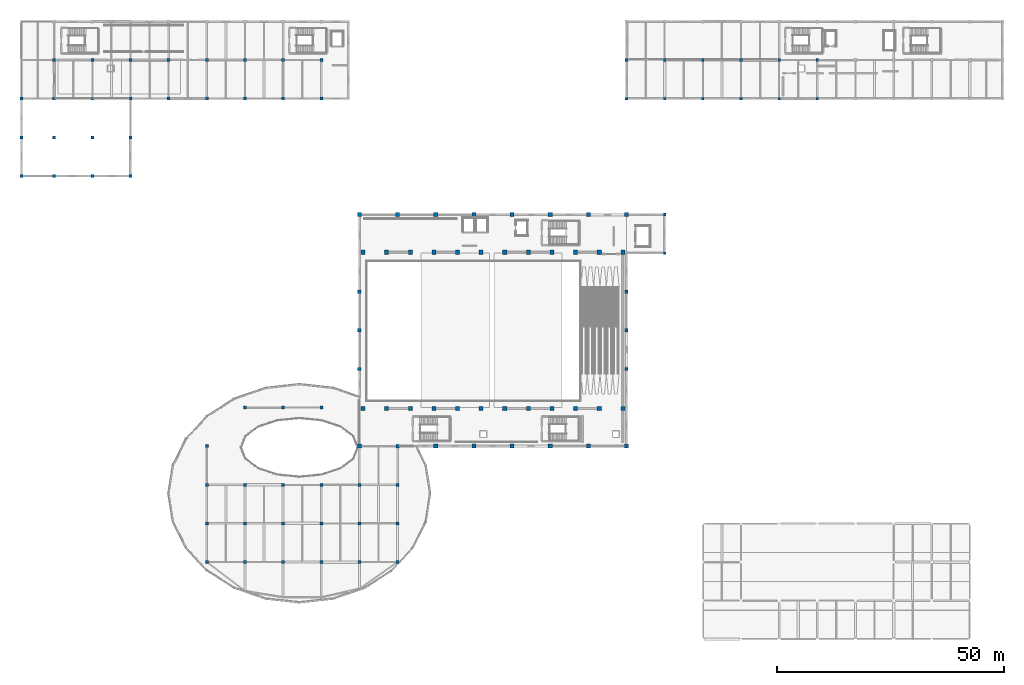
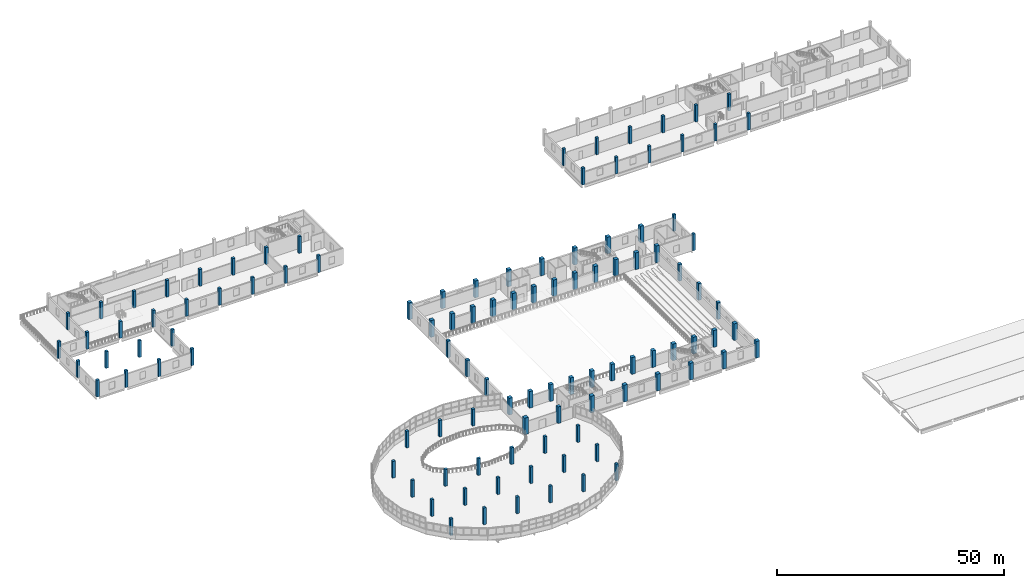
# One storey, part 1 of 50: 107 columns.
"""IFC4 building model written with IfcOpenShell, lengths in metres."""

from ifc_helpers import new_model, si_unit, direction, frame, origin, origin_2d, place, context, subcontext, project, spatial, rectangle, extrude, material, material_profile, profile_set, type_object, element, save


model = new_model("IFC4")

# Units and contexts
model_context = context("Model", 3, precision=1e-05, world=origin(), true_north=direction((0.0, 1.0)))
body_context = subcontext(model_context, "Body", "Model", "MODEL_VIEW")
ifc_project = project(units=[si_unit("LENGTHUNIT", "METRE"), si_unit("AREAUNIT", "SQUARE_METRE"), si_unit("VOLUMEUNIT", "CUBIC_METRE"), si_unit("PLANEANGLEUNIT", "RADIAN"), si_unit("MASSUNIT", "GRAM", prefix="KILO")], contexts=[model_context])

# Site, building, storey
site_placement = place(None, origin())
site = spatial("IfcSite", under=ifc_project, at=site_placement, CompositionType="ELEMENT")
building_placement = place(site_placement, origin())
building = spatial("IfcBuilding", under=site, at=building_placement, Name="Solvento Point Concert Hall", CompositionType="ELEMENT")
storey_placement = place(building_placement, frame((0.0, 0.0, 15.0)))
storey = spatial("IfcBuildingStorey", under=building, at=storey_placement, Name="L03", CompositionType="ELEMENT", Elevation=15.0)

# Columns
ifc_material_1 = material(Name="Concrete C40/50", Category="concrete")
ifc_material_profile_1 = material_profile(ifc_material_1, rectangle(XDim=0.60009765625, YDim=0.60009765625, at=origin_2d()), Name="RC-COL-600X600")
ifc_profile_set_1 = profile_set([ifc_material_profile_1], Name="Concrete C40/50")
column_type_1 = type_object("IfcColumnType", Name="Col_RC_600", PredefinedType="COLUMN", material=ifc_profile_set_1)
for number, where, z_axis, x_axis, name in (
    (1, (133.199951171875, 119.0, 0.0), (0.0, 0.0, 1.0), (1.0, 0.0, 0.0), "Column C-88 17/Q L03"),
    (2, (133.199951171875, 127.5, 0.0), (0.0, 0.0, 1.0), (1.0, 0.0, 0.0), "Column C-88 17/R L03"),
    (3, (141.60009765625, 85.0, 0.0), (0.0, 0.0, 1.0), (1.0, 0.0, 0.0), "Column C-88 18/L L03"),
    (4, (141.60009765625, 93.5, 0.0), (0.0, 0.0, 1.0), (1.0, 0.0, 0.0), "Column C-88 18/M L03"),
    (5, (141.60009765625, 119.0, 0.0), (0.0, 0.0, 1.0), (1.0, 0.0, 0.0), "Column C-88 18/Q L03"),
    (6, (141.60009765625, 127.5, 0.0), (0.0, 0.0, 1.0), (1.0, 0.0, 0.0), "Column C-88 18/R L03"),
    (7, (150.0, 119.0, 0.0), (0.0, 0.0, 1.0), (1.0, 0.0, 0.0), "Column C-88 19/Q L03"),
    (8, (150.0, 127.5, 0.0), (0.0, 0.0, 1.0), (1.0, 0.0, 0.0), "Column C-88 19/R L03"),
    (9, (158.39990234375, 119.0, 0.0), (0.0, 0.0, 1.0), (1.0, 0.0, 0.0), "Column C-88 20/Q L03"),
    (10, (158.39990234375, 127.5, 0.0), (0.0, 0.0, 1.0), (1.0, 0.0, 0.0), "Column C-88 20/R L03"),
    (11, (166.800048828125, 119.0, 0.0), (0.0, 0.0, 1.0), (1.0, 0.0, 0.0), "Column C-88 21/Q L03"),
    (12, (166.800048828125, 127.5, 0.0), (0.0, 0.0, 1.0), (1.0, 0.0, 0.0), "Column C-88 21/R L03"),
    (13, (175.199951171875, 119.0, 0.0), (0.0, 0.0, 1.0), (1.0, 0.0, 0.0), "Column C-88 22/Q L03"),
    (14, (175.199951171875, 127.5, 0.0), (0.0, 0.0, 1.0), (1.0, 0.0, 0.0), "Column C-88 22/R L03"),
):
    element("IfcColumn", number, at=place(storey_placement, frame(where, z_axis=z_axis, x_axis=x_axis)), inside=storey, type_object=column_type_1, Name=name, PredefinedType="COLUMN", context=body_context, shape_type="SweptSolid", body=[
        extrude(rectangle(XDim=0.60009765625, YDim=0.60009765625, at=origin_2d()), origin(), (0.0, 0.0, 1.0), 4.5),
    ])
ifc_material_2 = material(Name="Concrete C40/50", Category="concrete")
ifc_material_profile_2 = material_profile(ifc_material_2, rectangle(XDim=0.64990234375, YDim=0.64990234375, at=origin_2d()), Name="RC-COL-650X650")
ifc_profile_set_2 = profile_set([ifc_material_profile_2], Name="Concrete C40/50")
column_type_2 = type_object("IfcColumnType", Name="Col_RC_650", PredefinedType="COLUMN", material=ifc_profile_set_2)
for number, where, z_axis, x_axis, name in (
    (15, (0.0, 102.0, 0.0), (0.0, 0.0, 1.0), (1.0, 0.0, 0.0), "Column C-50 01/N L03"),
    (16, (0.0, 110.5, 0.0), (0.0, 0.0, 1.0), (1.0, 0.0, 0.0), "Column C-50 01/P L03"),
    (17, (0.0, 119.0, 0.0), (0.0, 0.0, 1.0), (1.0, 0.0, 0.0), "Column C-50 01/Q L03"),
    (18, (7.199951171875, 102.0, 0.0), (0.0, 0.0, 1.0), (1.0, 0.0, 0.0), "Column C-50 02/N L03"),
    (19, (7.199951171875, 110.5, 0.0), (0.0, 0.0, 1.0), (1.0, 0.0, 0.0), "Column C-50 02/P L03"),
    (20, (7.199951171875, 119.0, 0.0), (0.0, 0.0, 1.0), (1.0, 0.0, 0.0), "Column C-50 02/Q L03"),
    (21, (7.199951171875, 127.5, 0.0), (0.0, 0.0, 1.0), (1.0, 0.0, 0.0), "Column C-50 02/R L03"),
    (22, (15.60009765625, 102.0, 0.0), (0.0, 0.0, 1.0), (1.0, 0.0, 0.0), "Column C-50 03/N L03"),
    (23, (15.60009765625, 110.5, 0.0), (0.0, 0.0, 1.0), (1.0, 0.0, 0.0), "Column C-50 03/P L03"),
    (24, (15.60009765625, 119.0, 0.0), (0.0, 0.0, 1.0), (1.0, 0.0, 0.0), "Column C-50 03/Q L03"),
    (25, (15.60009765625, 127.5, 0.0), (0.0, 0.0, 1.0), (1.0, 0.0, 0.0), "Column C-50 03/R L03"),
    (26, (24.0, 102.0, 0.0), (0.0, 0.0, 1.0), (1.0, 0.0, 0.0), "Column C-50 04/N L03"),
    (27, (24.0, 110.5, 0.0), (0.0, 0.0, 1.0), (1.0, 0.0, 0.0), "Column C-50 04/P L03"),
    (28, (24.0, 119.0, 0.0), (0.0, 0.0, 1.0), (1.0, 0.0, 0.0), "Column C-50 04/Q L03"),
    (29, (24.0, 127.5, 0.0), (0.0, 0.0, 1.0), (1.0, 0.0, 0.0), "Column C-50 04/R L03"),
    (30, (32.39990234375, 119.0, 0.0), (0.0, 0.0, 1.0), (1.0, 0.0, 0.0), "Column C-50 05/Q L03"),
    (31, (32.39990234375, 127.5, 0.0), (0.0, 0.0, 1.0), (1.0, 0.0, 0.0), "Column C-50 05/R L03"),
    (32, (40.800048828125, 17.0, 0.0), (0.0, 0.0, 1.0), (1.0, 0.0, 0.0), "Column C-50 06/C L03"),
    (33, (40.800048828125, 25.5, 0.0), (0.0, 0.0, 1.0), (1.0, 0.0, 0.0), "Column C-50 06/D L03"),
    (34, (40.800048828125, 34.0, 0.0), (0.0, 0.0, 1.0), (1.0, 0.0, 0.0), "Column C-50 06/E L03"),
    (35, (40.800048828125, 42.5, 0.0), (0.0, 0.0, 1.0), (1.0, 0.0, 0.0), "Column C-50 06/F L03"),
    (36, (40.800048828125, 119.0, 0.0), (0.0, 0.0, 1.0), (1.0, 0.0, 0.0), "Column C-50 06/Q L03"),
    (37, (40.800048828125, 127.5, 0.0), (0.0, 0.0, 1.0), (1.0, 0.0, 0.0), "Column C-50 06/R L03"),
    (38, (49.199951171875, 17.0, 0.0), (0.0, 0.0, 1.0), (1.0, 0.0, 0.0), "Column C-50 07/C L03"),
    (39, (49.199951171875, 25.5, 0.0), (0.0, 0.0, 1.0), (1.0, 0.0, 0.0), "Column C-50 07/D L03"),
    (40, (49.199951171875, 34.0, 0.0), (0.0, 0.0, 1.0), (1.0, 0.0, 0.0), "Column C-50 07/E L03"),
    (41, (49.199951171875, 51.0, 0.0), (0.0, 0.0, 1.0), (1.0, 0.0, 0.0), "Column C-50 07/G L03"),
    (42, (49.199951171875, 119.0, 0.0), (0.0, 0.0, 1.0), (1.0, 0.0, 0.0), "Column C-50 07/Q L03"),
    (43, (49.199951171875, 127.5, 0.0), (0.0, 0.0, 1.0), (1.0, 0.0, 0.0), "Column C-50 07/R L03"),
    (44, (57.60009765625, 17.0, 0.0), (0.0, 0.0, 1.0), (1.0, 0.0, 0.0), "Column C-50 08/C L03"),
    (45, (57.60009765625, 25.5, 0.0), (0.0, 0.0, 1.0), (1.0, 0.0, 0.0), "Column C-50 08/D L03"),
    (46, (57.60009765625, 34.0, 0.0), (0.0, 0.0, 1.0), (1.0, 0.0, 0.0), "Column C-50 08/E L03"),
    (47, (57.60009765625, 51.0, 0.0), (0.0, 0.0, 1.0), (1.0, 0.0, 0.0), "Column C-50 08/G L03"),
    (48, (57.60009765625, 119.0, 0.0), (0.0, 0.0, 1.0), (1.0, 0.0, 0.0), "Column C-50 08/Q L03"),
    (49, (57.60009765625, 127.5, 0.0), (0.0, 0.0, 1.0), (1.0, 0.0, 0.0), "Column C-50 08/R L03"),
    (50, (66.0, 17.0, 0.0), (0.0, 0.0, 1.0), (1.0, 0.0, 0.0), "Column C-50 09/C L03"),
    (51, (66.0, 25.5, 0.0), (0.0, 0.0, 1.0), (1.0, 0.0, 0.0), "Column C-50 09/D L03"),
    (52, (66.0, 34.0, 0.0), (0.0, 0.0, 1.0), (1.0, 0.0, 0.0), "Column C-50 09/E L03"),
    (53, (66.0, 51.0, 0.0), (0.0, 0.0, 1.0), (1.0, 0.0, 0.0), "Column C-50 09/G L03"),
    (54, (66.0, 119.0, 0.0), (0.0, 0.0, 1.0), (1.0, 0.0, 0.0), "Column C-50 09/Q L03"),
    (55, (66.0, 127.5, 0.0), (0.0, 0.0, 1.0), (1.0, 0.0, 0.0), "Column C-50 09/R L03"),
    (56, (74.39990234375, 17.0, 0.0), (0.0, 0.0, 1.0), (1.0, 0.0, 0.0), "Column C-50 10/C L03"),
    (57, (74.39990234375, 25.5, 0.0), (0.0, 0.0, 1.0), (1.0, 0.0, 0.0), "Column C-50 10/D L03"),
    (58, (74.39990234375, 34.0, 0.0), (0.0, 0.0, 1.0), (1.0, 0.0, 0.0), "Column C-50 10/E L03"),
    (59, (82.800048828125, 17.0, 0.0), (0.0, 0.0, 1.0), (1.0, 0.0, 0.0), "Column C-50 11/C L03"),
    (60, (82.800048828125, 25.5, 0.0), (0.0, 0.0, 1.0), (1.0, 0.0, 0.0), "Column C-50 11/D L03"),
    (61, (82.800048828125, 34.0, 0.0), (0.0, 0.0, 1.0), (1.0, 0.0, 0.0), "Column C-50 11/E L03"),
):
    element("IfcColumn", number, at=place(storey_placement, frame(where, z_axis=z_axis, x_axis=x_axis)), inside=storey, type_object=column_type_2, Name=name, PredefinedType="COLUMN", context=body_context, shape_type="SweptSolid", body=[
        extrude(rectangle(XDim=0.64990234375, YDim=0.64990234375, at=origin_2d()), origin(), (0.0, 0.0, 1.0), 4.5),
    ])
ifc_material_3 = material(Name="Concrete C40/50", Category="concrete")
ifc_material_profile_3 = material_profile(ifc_material_3, rectangle(XDim=0.75, YDim=0.75, at=origin_2d()), Name="RC-COL-750X750")
ifc_profile_set_3 = profile_set([ifc_material_profile_3], Name="Concrete C40/50")
column_type_3 = type_object("IfcColumnType", Name="Col_RC_750", PredefinedType="COLUMN", material=ifc_profile_set_3)
for number, where, z_axis, x_axis, name in (
    (62, (74.39990234375, 59.5, 0.0), (0.0, 0.0, 1.0), (1.0, 0.0, 0.0), "Column C-29 10/H L03"),
    (63, (74.39990234375, 68.0, 0.0), (0.0, 0.0, 1.0), (1.0, 0.0, 0.0), "Column C-29 10/J L03"),
    (64, (74.39990234375, 76.5, 0.0), (0.0, 0.0, 1.0), (1.0, 0.0, 0.0), "Column C-29 10/K L03"),
    (65, (82.800048828125, 42.5, 0.0), (0.0, 0.0, 1.0), (1.0, 0.0, 0.0), "Column C-29 11/F L03"),
    (66, (133.199951171875, 59.5, 0.0), (0.0, 0.0, 1.0), (1.0, 0.0, 0.0), "Column C-29 17/H L03"),
    (67, (133.199951171875, 68.0, 0.0), (0.0, 0.0, 1.0), (1.0, 0.0, 0.0), "Column C-29 17/J L03"),
    (68, (133.199951171875, 76.5, 0.0), (0.0, 0.0, 1.0), (1.0, 0.0, 0.0), "Column C-29 17/K L03"),
):
    element("IfcColumn", number, at=place(storey_placement, frame(where, z_axis=z_axis, x_axis=x_axis)), inside=storey, type_object=column_type_3, Name=name, PredefinedType="COLUMN", context=body_context, shape_type="SweptSolid", body=[
        extrude(rectangle(XDim=0.75, YDim=0.75, at=origin_2d()), origin(), (0.0, 0.0, 1.0), 4.5),
    ])
ifc_material_4 = material(Name="Concrete C40/50", Category="concrete")
ifc_material_profile_4 = material_profile(ifc_material_4, rectangle(XDim=0.89990234375, YDim=0.89990234375, at=origin_2d()), Name="RC-COL-900X900")
ifc_profile_set_4 = profile_set([ifc_material_profile_4], Name="Concrete C40/50")
column_type_4 = type_object("IfcColumnType", Name="Col_RC_900", PredefinedType="COLUMN", material=ifc_profile_set_4)
for number, where, z_axis, x_axis, name in (
    (69, (74.39990234375, 42.5, 0.0), (0.0, 0.0, 1.0), (1.0, 0.0, 0.0), "Column C-14 10/F L03"),
    (70, (74.39990234375, 93.5, 0.0), (0.0, 0.0, 1.0), (1.0, 0.0, 0.0), "Column C-14 10/M L03"),
    (71, (82.800048828125, 93.5, 0.0), (0.0, 0.0, 1.0), (1.0, 0.0, 0.0), "Column C-14 11/M L03"),
    (72, (91.199951171875, 42.5, 0.0), (0.0, 0.0, 1.0), (1.0, 0.0, 0.0), "Column C-14 12/F L03"),
    (73, (91.199951171875, 93.5, 0.0), (0.0, 0.0, 1.0), (1.0, 0.0, 0.0), "Column C-14 12/M L03"),
    (74, (99.60009765625, 42.5, 0.0), (0.0, 0.0, 1.0), (1.0, 0.0, 0.0), "Column C-14 13/F L03"),
    (75, (99.60009765625, 93.5, 0.0), (0.0, 0.0, 1.0), (1.0, 0.0, 0.0), "Column C-14 13/M L03"),
    (76, (108.0, 42.5, 0.0), (0.0, 0.0, 1.0), (1.0, 0.0, 0.0), "Column C-14 14/F L03"),
    (77, (108.0, 93.5, 0.0), (0.0, 0.0, 1.0), (1.0, 0.0, 0.0), "Column C-14 14/M L03"),
    (78, (116.39990234375, 42.5, 0.0), (0.0, 0.0, 1.0), (1.0, 0.0, 0.0), "Column C-14 15/F L03"),
    (79, (116.39990234375, 93.5, 0.0), (0.0, 0.0, 1.0), (1.0, 0.0, 0.0), "Column C-14 15/M L03"),
    (80, (124.800048828125, 42.5, 0.0), (0.0, 0.0, 1.0), (1.0, 0.0, 0.0), "Column C-14 16/F L03"),
    (81, (124.800048828125, 93.5, 0.0), (0.0, 0.0, 1.0), (1.0, 0.0, 0.0), "Column C-14 16/M L03"),
    (82, (133.199951171875, 42.5, 0.0), (0.0, 0.0, 1.0), (1.0, 0.0, 0.0), "Column C-14 17/F L03"),
    (83, (133.199951171875, 93.5, 0.0), (0.0, 0.0, 1.0), (1.0, 0.0, 0.0), "Column C-14 17/M L03"),
    (84, (75.199951171875, 50.800048828125, 0.0), (0.0, 0.0, 1.0), (1.0, 0.0, 0.0), "Symphonic drum column C-14 DS01 L03"),
    (85, (75.199951171875, 85.199951171875, 0.0), (0.0, 0.0, 1.0), (1.0, 0.0, 0.0), "Symphonic drum column C-14 DN01 L03"),
    (86, (80.39990234375, 50.800048828125, 0.0), (0.0, 0.0, 1.0), (1.0, 0.0, 0.0), "Symphonic drum column C-14 DS02 L03"),
    (87, (80.39990234375, 85.199951171875, 0.0), (0.0, 0.0, 1.0), (1.0, 0.0, 0.0), "Symphonic drum column C-14 DN02 L03"),
    (88, (85.60009765625, 50.800048828125, 0.0), (0.0, 0.0, 1.0), (1.0, 0.0, 0.0), "Symphonic drum column C-14 DS03 L03"),
    (89, (85.60009765625, 85.199951171875, 0.0), (0.0, 0.0, 1.0), (1.0, 0.0, 0.0), "Symphonic drum column C-14 DN03 L03"),
    (90, (90.800048828125, 50.800048828125, 0.0), (0.0, 0.0, 1.0), (1.0, 0.0, 0.0), "Symphonic drum column C-14 DS04 L03"),
    (91, (90.800048828125, 85.199951171875, 0.0), (0.0, 0.0, 1.0), (1.0, 0.0, 0.0), "Symphonic drum column C-14 DN04 L03"),
    (92, (96.0, 50.800048828125, 0.0), (0.0, 0.0, 1.0), (1.0, 0.0, 0.0), "Symphonic drum column C-14 DS05 L03"),
    (93, (96.0, 85.199951171875, 0.0), (0.0, 0.0, 1.0), (1.0, 0.0, 0.0), "Symphonic drum column C-14 DN05 L03"),
    (94, (101.199951171875, 50.800048828125, 0.0), (0.0, 0.0, 1.0), (1.0, 0.0, 0.0), "Symphonic drum column C-14 DS06 L03"),
    (95, (101.199951171875, 85.199951171875, 0.0), (0.0, 0.0, 1.0), (1.0, 0.0, 0.0), "Symphonic drum column C-14 DN06 L03"),
    (96, (106.39990234375, 50.800048828125, 0.0), (0.0, 0.0, 1.0), (1.0, 0.0, 0.0), "Symphonic drum column C-14 DS07 L03"),
    (97, (106.39990234375, 85.199951171875, 0.0), (0.0, 0.0, 1.0), (1.0, 0.0, 0.0), "Symphonic drum column C-14 DN07 L03"),
    (98, (111.60009765625, 50.800048828125, 0.0), (0.0, 0.0, 1.0), (1.0, 0.0, 0.0), "Symphonic drum column C-14 DS08 L03"),
    (99, (111.60009765625, 85.199951171875, 0.0), (0.0, 0.0, 1.0), (1.0, 0.0, 0.0), "Symphonic drum column C-14 DN08 L03"),
    (100, (116.800048828125, 50.800048828125, 0.0), (0.0, 0.0, 1.0), (1.0, 0.0, 0.0), "Symphonic drum column C-14 DS09 L03"),
    (101, (116.800048828125, 85.199951171875, 0.0), (0.0, 0.0, 1.0), (1.0, 0.0, 0.0), "Symphonic drum column C-14 DN09 L03"),
    (102, (122.0, 50.800048828125, 0.0), (0.0, 0.0, 1.0), (1.0, 0.0, 0.0), "Symphonic drum column C-14 DS10 L03"),
    (103, (122.0, 85.199951171875, 0.0), (0.0, 0.0, 1.0), (1.0, 0.0, 0.0), "Symphonic drum column C-14 DN10 L03"),
    (104, (127.199951171875, 50.800048828125, 0.0), (0.0, 0.0, 1.0), (1.0, 0.0, 0.0), "Symphonic drum column C-14 DS11 L03"),
    (105, (127.199951171875, 85.199951171875, 0.0), (0.0, 0.0, 1.0), (1.0, 0.0, 0.0), "Symphonic drum column C-14 DN11 L03"),
    (106, (132.39990234375, 50.800048828125, 0.0), (0.0, 0.0, 1.0), (1.0, 0.0, 0.0), "Symphonic drum column C-14 DS12 L03"),
    (107, (132.39990234375, 85.199951171875, 0.0), (0.0, 0.0, 1.0), (1.0, 0.0, 0.0), "Symphonic drum column C-14 DN12 L03"),
):
    element("IfcColumn", number, at=place(storey_placement, frame(where, z_axis=z_axis, x_axis=x_axis)), inside=storey, type_object=column_type_4, Name=name, PredefinedType="COLUMN", context=body_context, shape_type="SweptSolid", body=[
        extrude(rectangle(XDim=0.89990234375, YDim=0.89990234375, at=origin_2d()), origin(), (0.0, 0.0, 1.0), 4.5),
    ])

save(model, "model.ifc")
